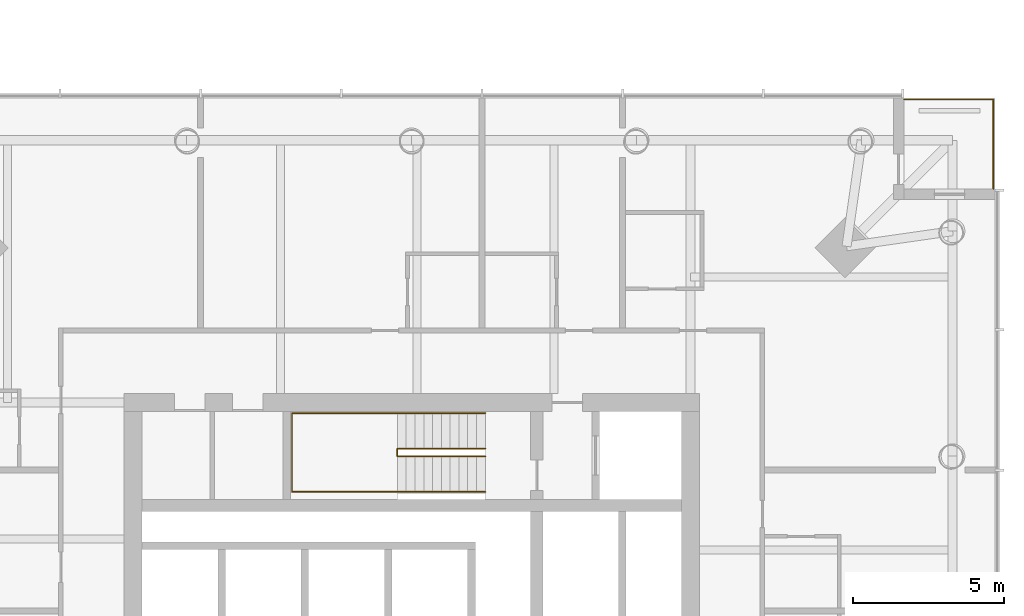
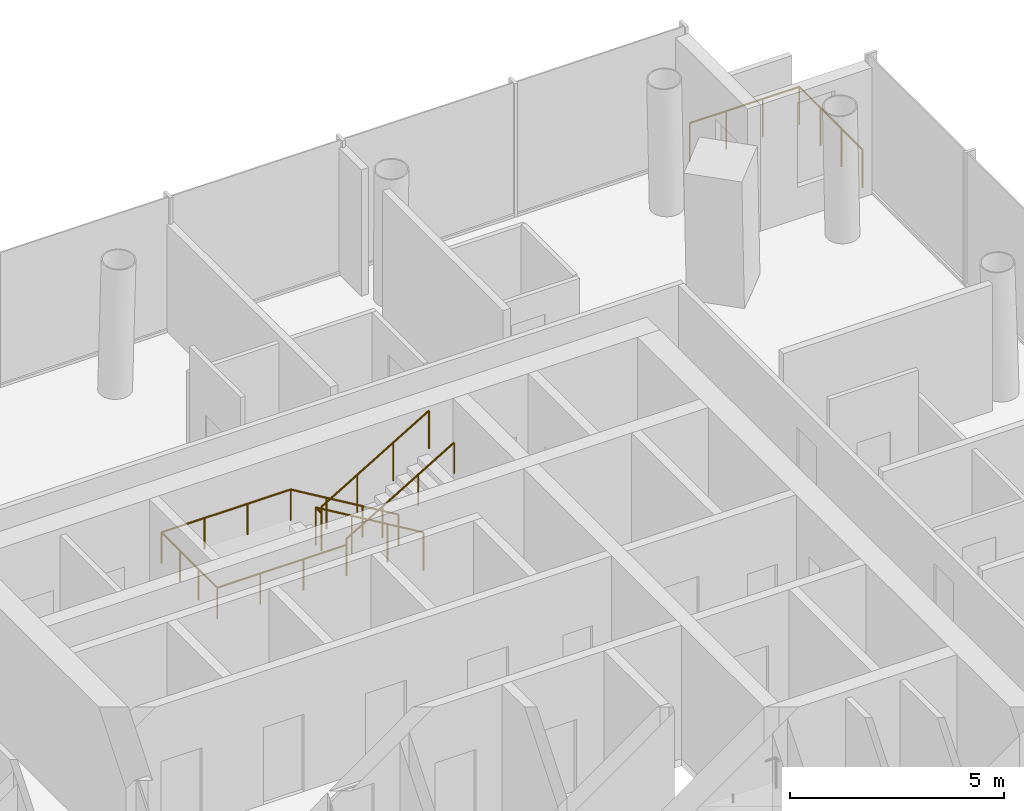
# One storey, part 21 of 21: 3 railings.
"""IFC4 building model written with IfcOpenShell, lengths in metres."""

from ifc_helpers import new_model, si_unit, direction, frame, origin, origin_2d, place, context, subcontext, project, spatial, circle, extrude, material, type_object, element, save


model = new_model("IFC4")

# Units and contexts
model_context = context("Model", 3, precision=1e-05, world=origin(), true_north=direction((0.0, 1.0)))
body_context = subcontext(model_context, "Body", "Model", "MODEL_VIEW")
ifc_project = project(units=[si_unit("LENGTHUNIT", "METRE"), si_unit("AREAUNIT", "SQUARE_METRE"), si_unit("VOLUMEUNIT", "CUBIC_METRE"), si_unit("PLANEANGLEUNIT", "RADIAN"), si_unit("MASSUNIT", "GRAM", prefix="KILO")], contexts=[model_context])

# Site, building, storey
site_placement = place(None, origin())
site = spatial("IfcSite", under=ifc_project, at=site_placement, CompositionType="ELEMENT")
building_placement = place(site_placement, origin())
building = spatial("IfcBuilding", under=site, at=building_placement, Name="Ostroluk Exchange", CompositionType="ELEMENT")
storey_placement = place(building_placement, frame((0.0, 0.0, 47.60009765625)))
storey = spatial("IfcBuildingStorey", under=building, at=storey_placement, Name="L11", CompositionType="ELEMENT", Elevation=47.60009765625)

# Railings
ifc_material_1 = material(Name="Stainless steel", Category="steel")
railing_type_1 = type_object("IfcRailingType", Name="Guard 1100 stainless steel", PredefinedType="GUARDRAIL", material=ifc_material_1)
railing_1_placement = place(storey_placement, frame((133.25, 65.199951171875, 0.0)))
element("IfcRailing", 1, at=railing_1_placement, inside=storey, type_object=railing_type_1, Name="Hotel tower NE balcony guard L11", PredefinedType="GUARDRAIL", context=body_context, shape_type="SweptSolid", body=[
    extrude(circle(Radius=0.02392578125, at=origin_2d()), frame((0.0, 0.0, 1.076171875), z_axis=(1.0, 0.0, 0.0), x_axis=(0.0, 1.0, 0.0)), (0.0, 0.0, 1.0), 2.949951171875),
    extrude(circle(Radius=0.02392578125, at=origin_2d()), frame((2.949951171875, 0.0, 1.076171875), z_axis=(0.0, -1.0, 0.0), x_axis=(1.0, 0.0, 0.0)), (0.0, 0.0, 1.0), 2.949951171875),
    extrude(circle(Radius=0.02099609375, at=origin_2d()), origin(), (0.0, 0.0, 1.0), 1.052001953125),
    extrude(circle(Radius=0.02099609375, at=origin_2d()), frame((0.9833984375, 0.0, 0.0)), (0.0, 0.0, 1.0), 1.052001953125),
    extrude(circle(Radius=0.02099609375, at=origin_2d()), frame((1.966552734375, 0.0, 0.0)), (0.0, 0.0, 1.0), 1.052001953125),
    extrude(circle(Radius=0.02099609375, at=origin_2d()), frame((2.949951171875, 0.0, 0.0)), (0.0, 0.0, 1.0), 1.052001953125),
    extrude(circle(Radius=0.02099609375, at=origin_2d()), frame((2.949951171875, -0.9833984375, 0.0)), (0.0, 0.0, 1.0), 1.052001953125),
    extrude(circle(Radius=0.02099609375, at=origin_2d()), frame((2.949951171875, -1.966552734375, 0.0)), (0.0, 0.0, 1.0), 1.052001953125),
    extrude(circle(Radius=0.02099609375, at=origin_2d()), frame((2.949951171875, -2.949951171875, 0.0)), (0.0, 0.0, 1.0), 1.052001953125),
])
ifc_material_2 = material(Name="Steel S355", Category="steel")
railing_type_2 = type_object("IfcRailingType", Name="Stair guard 1100", PredefinedType="GUARDRAIL", material=ifc_material_2)
railing_2_placement = place(storey_placement, frame((119.429931640625, 53.679931640625, 0.172607421875)))
element("IfcRailing", 2, at=railing_2_placement, inside=storey, type_object=railing_type_2, Name="Stair T2-S2 guard L11", PredefinedType="GUARDRAIL", context=body_context, shape_type="SweptSolid", body=[
    extrude(circle(Radius=0.02392578125, at=origin_2d()), frame((0.0, 0.0, 1.076171875), z_axis=(-0.859141464434, 0.0, 0.511738159696), x_axis=(0.0, -1.0, 0.0)), (0.0, 0.0, 1.0), 3.375244140625),
    extrude(circle(Radius=0.02392578125, at=origin_2d()), frame((-2.89990234375, 0.0, 2.80322265625), z_axis=(0.0, -1.0, 0.0), x_axis=(1.0, 0.0, 0.0)), (0.0, 0.0, 1.0), 0.260009765625),
    extrude(circle(Radius=0.02392578125, at=origin_2d()), frame((-2.89990234375, -0.260009765625, 2.80322265625), z_axis=(0.0, 0.0, 1.0), x_axis=(1.0, 0.0, 0.0)), (0.0, 0.0, 1.0), 0.172607421875),
    extrude(circle(Radius=0.02392578125, at=origin_2d()), frame((-2.89990234375, -0.260009765625, 2.97607421875), z_axis=(0.859141464434, 0.0, 0.511738159696), x_axis=(0.0, 1.0, 0.0)), (0.0, 0.0, 1.0), 3.375244140625),
    extrude(circle(Radius=0.02099609375, at=origin_2d()), origin(), (0.0, 0.0, 1.0), 1.052001953125),
    extrude(circle(Radius=0.02099609375, at=origin_2d()), frame((-0.966552734375, 0.0, 0.57568359375)), (0.0, 0.0, 1.0), 1.052001953125),
    extrude(circle(Radius=0.02099609375, at=origin_2d()), frame((-1.933349609375, 0.0, 1.151611328125)), (0.0, 0.0, 1.0), 1.052001953125),
    extrude(circle(Radius=0.02099609375, at=origin_2d()), frame((-2.89990234375, 0.0, 1.727294921875)), (0.0, 0.0, 1.0), 1.052001953125),
    extrude(circle(Radius=0.02099609375, at=origin_2d()), frame((-2.89990234375, -0.260009765625, 1.727294921875)), (0.0, 0.0, 1.0), 1.052001953125),
    extrude(circle(Radius=0.02099609375, at=origin_2d()), frame((-2.89990234375, -0.260009765625, 1.89990234375)), (0.0, 0.0, 1.0), 1.052001953125),
    extrude(circle(Radius=0.02099609375, at=origin_2d()), frame((-1.933349609375, -0.260009765625, 2.4755859375)), (0.0, 0.0, 1.0), 1.052001953125),
    extrude(circle(Radius=0.02099609375, at=origin_2d()), frame((-0.966552734375, -0.260009765625, 3.051513671875)), (0.0, 0.0, 1.0), 1.052001953125),
    extrude(circle(Radius=0.02099609375, at=origin_2d()), frame((0.0, -0.260009765625, 3.627197265625)), (0.0, 0.0, 1.0), 1.052001953125),
])
ifc_material_3 = material(Name="Stainless steel", Category="steel")
railing_type_3 = type_object("IfcRailingType", Name="Stair handrail 900", PredefinedType="HANDRAIL", material=ifc_material_3)
railing_3_placement = place(storey_placement, frame((119.429931640625, 54.85009765625, 0.172607421875)))
element("IfcRailing", 3, at=railing_3_placement, inside=storey, type_object=railing_type_3, Name="Stair T2-S2 handrail L11", PredefinedType="HANDRAIL", context=body_context, shape_type="SweptSolid", body=[
    extrude(circle(Radius=0.02392578125, at=origin_2d()), frame((0.0, 0.0, 0.8759765625), z_axis=(-0.859141464434, 0.0, 0.511738159696), x_axis=(0.0, -1.0, 0.0)), (0.0, 0.0, 1.0), 3.375244140625),
    extrude(circle(Radius=0.02392578125, at=origin_2d()), frame((-2.89990234375, 0.0, 2.60302734375), z_axis=(-1.0, 0.0, 0.0), x_axis=(0.0, -1.0, 0.0)), (0.0, 0.0, 1.0), 3.47998046875),
    extrude(circle(Radius=0.02392578125, at=origin_2d()), frame((-6.3798828125, 0.0, 2.60302734375), z_axis=(0.0, -1.0, 0.0), x_axis=(1.0, 0.0, 0.0)), (0.0, 0.0, 1.0), 2.60009765625),
    extrude(circle(Radius=0.02392578125, at=origin_2d()), frame((-6.3798828125, -2.60009765625, 2.60302734375), z_axis=(1.0, 0.0, 0.0), x_axis=(0.0, 1.0, 0.0)), (0.0, 0.0, 1.0), 3.47998046875),
    extrude(circle(Radius=0.02392578125, at=origin_2d()), frame((-2.89990234375, -2.60009765625, 2.60302734375), z_axis=(0.0, 0.0, 1.0), x_axis=(1.0, 0.0, 0.0)), (0.0, 0.0, 1.0), 0.172607421875),
    extrude(circle(Radius=0.02392578125, at=origin_2d()), frame((-2.89990234375, -2.60009765625, 2.77587890625), z_axis=(0.859141464434, 0.0, 0.511738159696), x_axis=(0.0, 1.0, 0.0)), (0.0, 0.0, 1.0), 3.375244140625),
    extrude(circle(Radius=0.02099609375, at=origin_2d()), origin(), (0.0, 0.0, 1.0), 0.851806640625),
    extrude(circle(Radius=0.02099609375, at=origin_2d()), frame((-0.966552734375, 0.0, 0.57568359375)), (0.0, 0.0, 1.0), 0.851806640625),
    extrude(circle(Radius=0.02099609375, at=origin_2d()), frame((-1.933349609375, 0.0, 1.151611328125)), (0.0, 0.0, 1.0), 0.851806640625),
    extrude(circle(Radius=0.02099609375, at=origin_2d()), frame((-2.89990234375, 0.0, 1.727294921875)), (0.0, 0.0, 1.0), 0.851806640625),
    extrude(circle(Radius=0.02099609375, at=origin_2d()), frame((-4.059814453125, 0.0, 1.727294921875)), (0.0, 0.0, 1.0), 0.851806640625),
    extrude(circle(Radius=0.02099609375, at=origin_2d()), frame((-5.219970703125, 0.0, 1.727294921875)), (0.0, 0.0, 1.0), 0.851806640625),
    extrude(circle(Radius=0.02099609375, at=origin_2d()), frame((-6.3798828125, 0.0, 1.727294921875)), (0.0, 0.0, 1.0), 0.851806640625),
    extrude(circle(Radius=0.02099609375, at=origin_2d()), frame((-6.3798828125, -0.86669921875, 1.727294921875)), (0.0, 0.0, 1.0), 0.851806640625),
    extrude(circle(Radius=0.02099609375, at=origin_2d()), frame((-6.3798828125, -1.7333984375, 1.727294921875)), (0.0, 0.0, 1.0), 0.851806640625),
    extrude(circle(Radius=0.02099609375, at=origin_2d()), frame((-6.3798828125, -2.60009765625, 1.727294921875)), (0.0, 0.0, 1.0), 0.851806640625),
    extrude(circle(Radius=0.02099609375, at=origin_2d()), frame((-5.219970703125, -2.60009765625, 1.727294921875)), (0.0, 0.0, 1.0), 0.851806640625),
    extrude(circle(Radius=0.02099609375, at=origin_2d()), frame((-4.059814453125, -2.60009765625, 1.727294921875)), (0.0, 0.0, 1.0), 0.851806640625),
    extrude(circle(Radius=0.02099609375, at=origin_2d()), frame((-2.89990234375, -2.60009765625, 1.727294921875)), (0.0, 0.0, 1.0), 0.851806640625),
    extrude(circle(Radius=0.02099609375, at=origin_2d()), frame((-2.89990234375, -2.60009765625, 1.89990234375)), (0.0, 0.0, 1.0), 0.851806640625),
    extrude(circle(Radius=0.02099609375, at=origin_2d()), frame((-1.933349609375, -2.60009765625, 2.4755859375)), (0.0, 0.0, 1.0), 0.851806640625),
    extrude(circle(Radius=0.02099609375, at=origin_2d()), frame((-0.966552734375, -2.60009765625, 3.051513671875)), (0.0, 0.0, 1.0), 0.851806640625),
    extrude(circle(Radius=0.02099609375, at=origin_2d()), frame((0.0, -2.60009765625, 3.627197265625)), (0.0, 0.0, 1.0), 0.851806640625),
])

save(model, "model.ifc")
